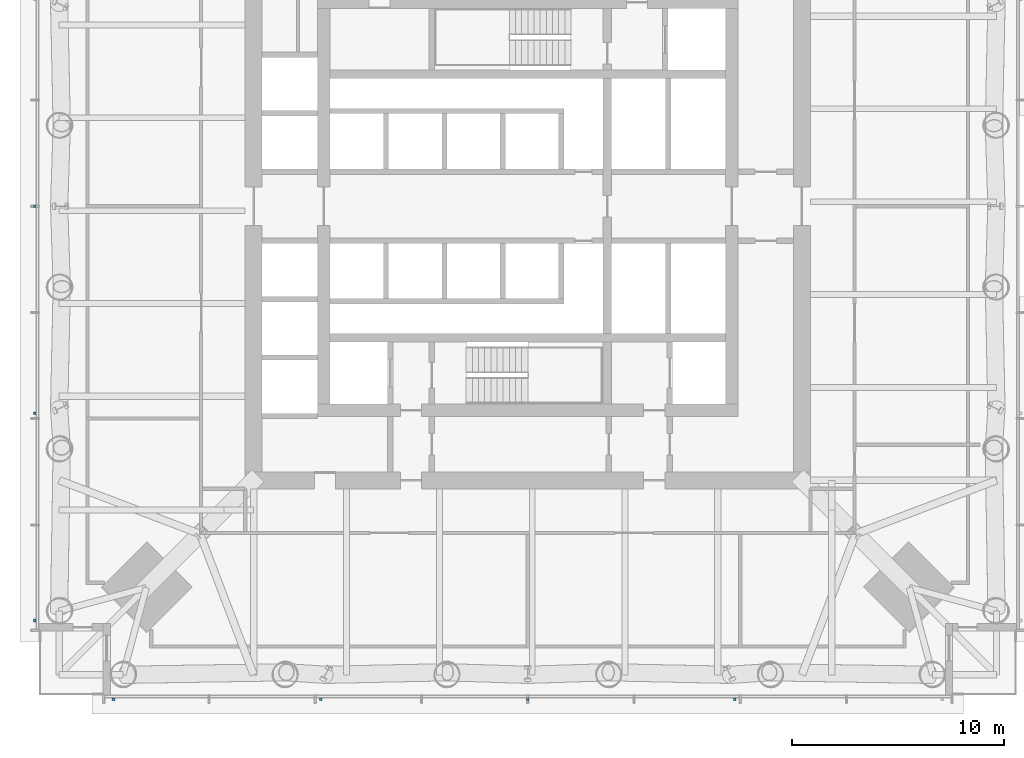
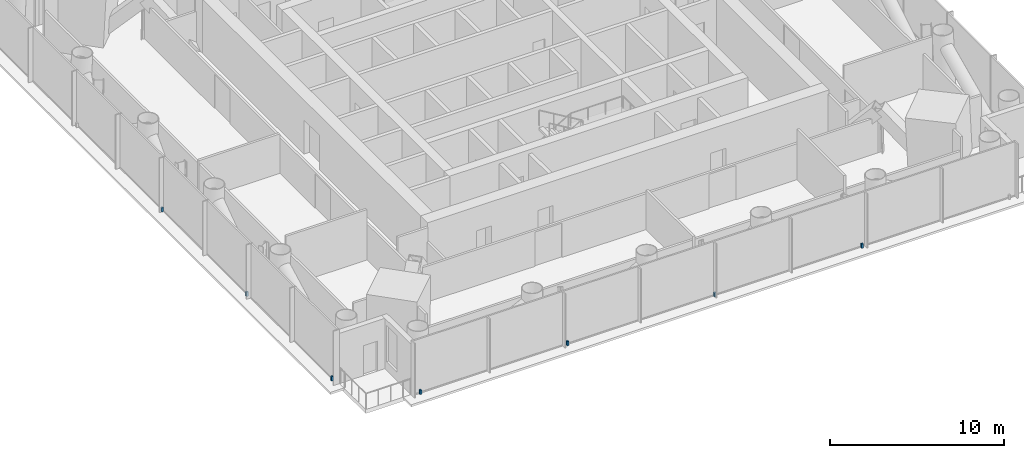
# One storey, part 17 of 28: 7 discrete accessories.
"""IFC4 building model written with IfcOpenShell, lengths in metres."""

from ifc_helpers import new_model, si_unit, direction, frame, origin, origin_2d, place, context, subcontext, project, spatial, rectangle, extrude, material, type_object, element, save


model = new_model("IFC4")

# Units and contexts
model_context = context("Model", 3, precision=1e-05, world=origin(), true_north=direction((0.0, 1.0)))
body_context = subcontext(model_context, "Body", "Model", "MODEL_VIEW")
ifc_project = project(units=[si_unit("LENGTHUNIT", "METRE"), si_unit("AREAUNIT", "SQUARE_METRE"), si_unit("VOLUMEUNIT", "CUBIC_METRE"), si_unit("PLANEANGLEUNIT", "RADIAN"), si_unit("MASSUNIT", "GRAM", prefix="KILO")], contexts=[model_context])

# Site, building, storey
site_placement = place(None, origin())
site = spatial("IfcSite", under=ifc_project, at=site_placement, CompositionType="ELEMENT")
building_placement = place(site_placement, origin())
building = spatial("IfcBuilding", under=site, at=building_placement, Name="Ostroluk Exchange", CompositionType="ELEMENT")
storey_placement = place(building_placement, frame((0.0, 0.0, 81.800048828125)))
storey = spatial("IfcBuildingStorey", under=building, at=storey_placement, Name="L20", CompositionType="ELEMENT", Elevation=81.800048828125)

# Discrete accessories
ifc_material = material(Name="Stainless steel", Category="steel")
discrete_accessory_type = type_object("IfcDiscreteAccessoryType", Name="Fall-arrest anchor PN-EN 795 type C", PredefinedType="USERDEFINED", material=ifc_material)
for number, where, z_axis, x_axis, name in (
    (1, (25.5, 22.7900390625, 0.0), (0.0, 0.0, 1.0), (1.0, 0.0, 0.0), "Fall-arrest anchor L20 south 1"),
    (2, (35.25, 22.7900390625, 0.0), (0.0, 0.0, 1.0), (1.0, 0.0, 0.0), "Fall-arrest anchor L20 south 2"),
    (3, (45.0, 22.7900390625, 0.0), (0.0, 0.0, 1.0), (1.0, 0.0, 0.0), "Fall-arrest anchor L20 south 3"),
    (4, (54.75, 22.7900390625, 0.0), (0.0, 0.0, 1.0), (1.0, 0.0, 0.0), "Fall-arrest anchor L20 south 4"),
    (5, (21.7900390625, 26.5, 0.0), (0.0, 0.0, 1.0), (1.0, 0.0, 0.0), "Fall-arrest anchor L20 west 1"),
    (6, (21.7900390625, 36.25, 0.0), (0.0, 0.0, 1.0), (1.0, 0.0, 0.0), "Fall-arrest anchor L20 west 2"),
    (7, (21.7900390625, 46.0, 0.0), (0.0, 0.0, 1.0), (1.0, 0.0, 0.0), "Fall-arrest anchor L20 west 3"),
):
    element("IfcDiscreteAccessory", number, at=place(storey_placement, frame(where, z_axis=z_axis, x_axis=x_axis)), inside=storey, type_object=discrete_accessory_type, Name=name, ObjectType="FALL ARREST ANCHOR", PredefinedType="USERDEFINED", context=body_context, shape_type="SweptSolid", body=[
        extrude(rectangle(XDim=0.1201171875, YDim=0.1201171875, at=origin_2d()), origin(), (0.0, 0.0, 1.0), 0.300048828125),
    ])

save(model, "model.ifc")
